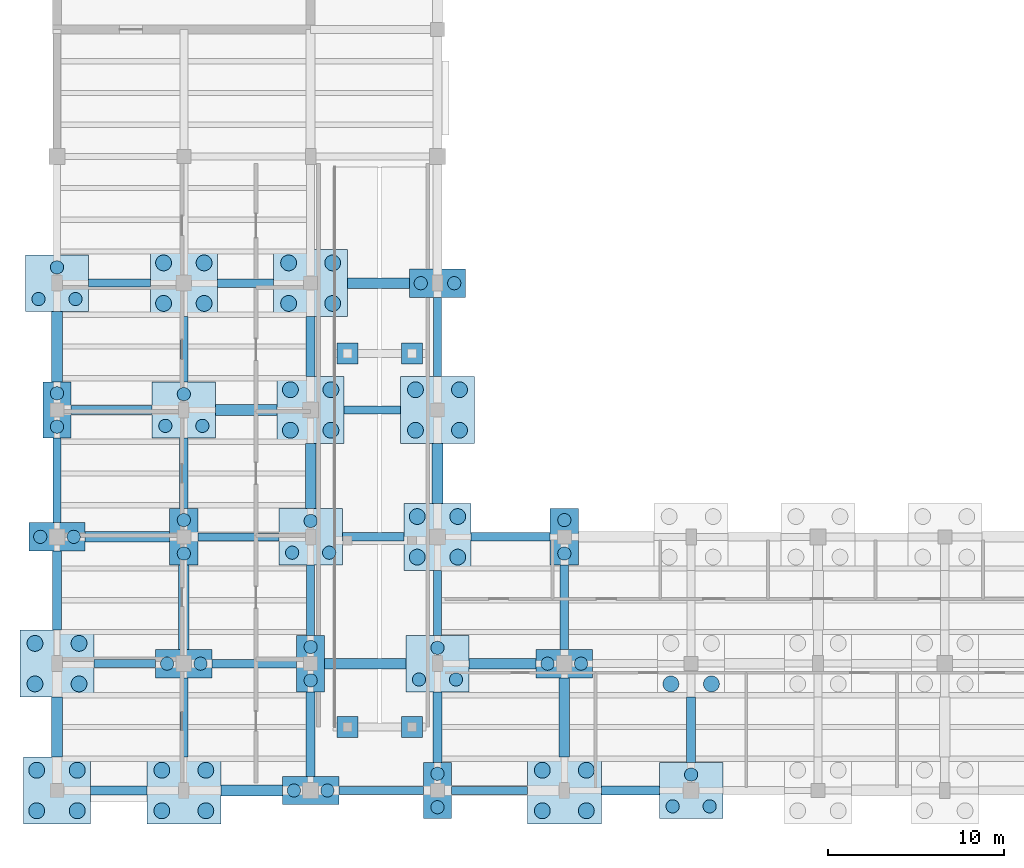
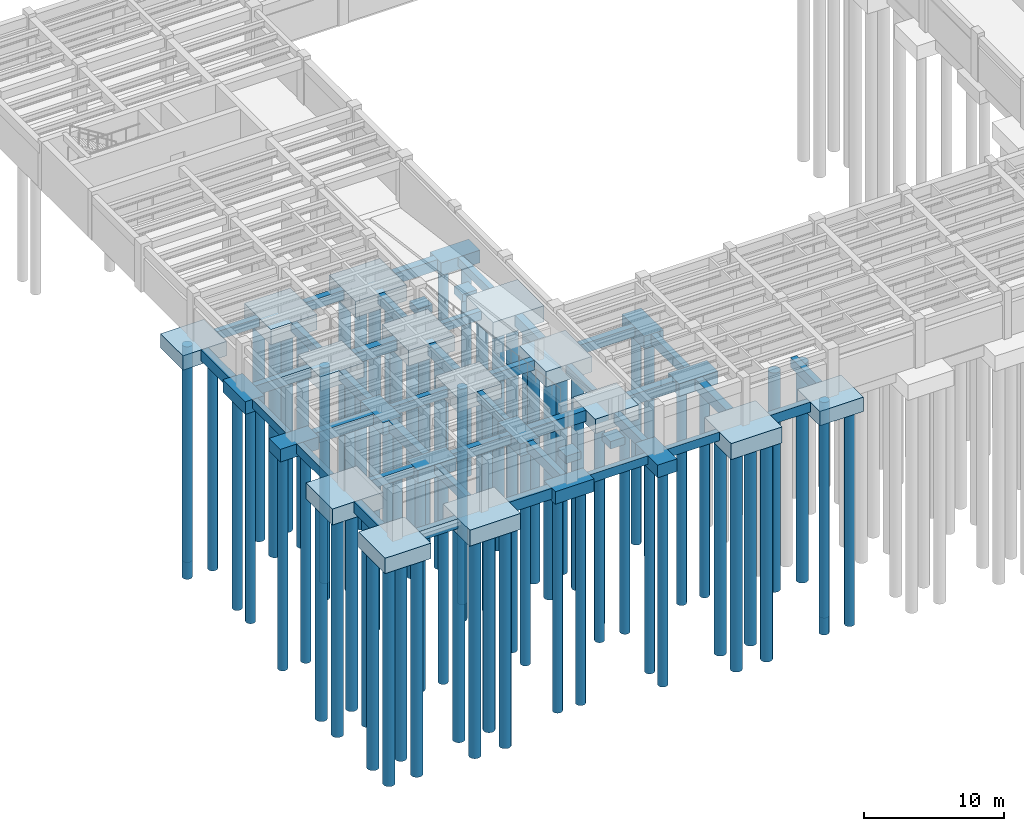
# One storey, part 1 of 33: 73 piles, 66 footings.
"""IFC4 building model written with IfcOpenShell, lengths in metres."""

import ifcopenshell
import ifcopenshell.guid

model = None  # the IFC model being written
_history = None  # IfcOwnerHistory: only IFC2X3 demands one
_inside = {}  # id of a spatial element -> (the spatial element, [elements in it])
_under = {}  # id of a project, library or spatial element -> (it, [spatial elements below it])
_declared = {}  # id of a project -> (the project, [libraries it declares])
_typed = {}  # id of a type object -> (the type object, [elements of that type])
_made_of = {}  # id of a material, layer set ... -> (it, [elements and type objects made of it])


def new_model(schema):
    """Start an empty IFC model of exactly this schema.

    Asked for "IFC4X3", IfcOpenShell would pick the latest addendum, in which some entities
    have other attributes; the version numbers below select the first issue.
    IFC2X3 requires an IfcOwnerHistory on every rooted entity: one is made here for all.
    """
    global model, _history
    if schema == "IFC4X3":
        model = ifcopenshell.file(schema_version=(4, 3, 0, 0))
    else:
        model = ifcopenshell.file(schema=schema)
    _inside.clear()
    _under.clear()
    _declared.clear()
    _typed.clear()
    _made_of.clear()
    _history = None
    if model.schema == "IFC2X3":
        org = make("IfcOrganization", Name="unknown")
        user = make(
            "IfcPersonAndOrganization",
            ThePerson=make("IfcPerson", FamilyName="unknown"),
            TheOrganization=org,
        )
        app = make(
            "IfcApplication",
            ApplicationDeveloper=org,
            Version="unknown",
            ApplicationFullName="unknown",
            ApplicationIdentifier="unknown",
        )
        _history = make(
            "IfcOwnerHistory",
            OwningUser=user,
            OwningApplication=app,
            ChangeAction="ADDED",
            CreationDate=0,
        )
    return model


def make(cls, **values):
    """One entity of the class cls with the attributes given. An attribute that is None is left unset."""
    return model.create_entity(
        cls, **{name: value for name, value in values.items() if value is not None}
    )


def rooted(cls, **values):
    """An entity with a GlobalId (a new one), such as an element, a storey or a relation."""
    return make(cls, GlobalId=ifcopenshell.guid.new(), OwnerHistory=_history, **values)


def si_unit(unit_type, name, prefix=None):
    """IfcSIUnit, for example si_unit("LENGTHUNIT", "METRE", prefix="MILLI")."""
    return make("IfcSIUnit", UnitType=unit_type, Prefix=prefix, Name=name)


def assignment(units):
    """IfcUnitAssignment: the units of a project."""
    return None if units is None else make("IfcUnitAssignment", Units=units)


def point(xyz):
    """IfcCartesianPoint."""
    return None if xyz is None else make("IfcCartesianPoint", Coordinates=xyz)


def direction(xyz):
    """IfcDirection."""
    return None if xyz is None else make("IfcDirection", DirectionRatios=xyz)


def frame(location, z_axis=None, x_axis=None):
    """IfcAxis2Placement3D, a coordinate frame: its origin and axes. An axis left out is left unset."""
    return make(
        "IfcAxis2Placement3D",
        Location=point(location),
        Axis=direction(z_axis),
        RefDirection=direction(x_axis),
    )


def frame_2d(location, x_axis=None):
    """IfcAxis2Placement2D, a coordinate frame in the plane: its origin and x axis."""
    return make(
        "IfcAxis2Placement2D", Location=point(location), RefDirection=direction(x_axis)
    )


def origin():
    """The frame at (0, 0, 0) with its axes left unset."""
    return frame((0.0, 0.0, 0.0))


def origin_2d():
    """The frame at (0, 0) in the plane with its x axis left unset."""
    return frame_2d((0.0, 0.0))


def place(relative_to, where):
    """IfcLocalPlacement: puts the frame where relative to a parent placement (None: the world)."""
    return make(
        "IfcLocalPlacement", PlacementRelTo=relative_to, RelativePlacement=where
    )


def context(
    kind, dimensions, precision=None, world=None, true_north=None, identifier=None
):
    """IfcGeometricRepresentationContext, for example the 3D "Model" context."""
    return make(
        "IfcGeometricRepresentationContext",
        ContextIdentifier=identifier,
        ContextType=kind,
        CoordinateSpaceDimension=dimensions,
        Precision=precision,
        WorldCoordinateSystem=world,
        TrueNorth=true_north,
    )


def subcontext(parent, identifier, kind, view, scale=None):
    """IfcGeometricRepresentationSubContext, for example "Body" below "Model"."""
    return make(
        "IfcGeometricRepresentationSubContext",
        ContextIdentifier=identifier,
        ContextType=kind,
        ParentContext=parent,
        TargetScale=scale,
        TargetView=view,
    )


def project(units=None, contexts=None):
    """IfcProject with its units and contexts."""
    return rooted(
        "IfcProject",
        Name="project",
        RepresentationContexts=contexts,
        UnitsInContext=assignment(units),
    )


def spatial(cls, under=None, at=None, **own):
    """A site, building, storey or space (cls), placed at a placement, below another one or the project."""
    s = rooted(cls, ObjectPlacement=at, **own)
    if under is not None:
        _under.setdefault(under.id(), (under, []))[1].append(s)
    return s


def profile(cls, at=None, kind="AREA", **sizes):
    """A parametric profile (cls). Its sizes go by their IFC names, for example OverallWidth=200.0."""
    return make(cls, ProfileType=kind, Position=at, **sizes)


def rectangle(**sizes):
    """IfcRectangleProfileDef."""
    return profile("IfcRectangleProfileDef", **sizes)


def circle(**sizes):
    """IfcCircleProfileDef."""
    return profile("IfcCircleProfileDef", **sizes)


def extrude(swept, where, along, depth):
    """IfcExtrudedAreaSolid: the profile swept, set in the frame where, extruded along a direction by depth."""
    return make(
        "IfcExtrudedAreaSolid",
        SweptArea=swept,
        Position=where,
        ExtrudedDirection=direction(along),
        Depth=depth,
    )


def shape(context_of_items, identifier, shape_type, items):
    """IfcShapeRepresentation: the items that make up one representation, for example the "Body"."""
    return make(
        "IfcShapeRepresentation",
        ContextOfItems=context_of_items,
        RepresentationIdentifier=identifier,
        RepresentationType=shape_type,
        Items=items,
    )


def material(Name=None, Category=None):
    """IfcMaterial."""
    return make("IfcMaterial", Name=Name, Category=Category)


def material_profile(
    of_material, cross_section, Name=None, Category=None, Priority=None
):
    """IfcMaterialProfile: a cross section and its material."""
    return make(
        "IfcMaterialProfile",
        Name=Name,
        Material=of_material,
        Profile=cross_section,
        Priority=Priority,
        Category=Category,
    )


def profile_set(profiles, Name=None, composite=None):
    """IfcMaterialProfileSet."""
    return make(
        "IfcMaterialProfileSet",
        Name=Name,
        MaterialProfiles=profiles,
        CompositeProfile=composite,
    )


def made_of(thing, what):
    """Note that an element or type object is made of a material, layer set ...; save() writes the relation."""
    if what is not None:
        _made_of.setdefault(what.id(), (what, []))[1].append(thing)
    return thing


def type_object(cls, material=None, **own):
    """A type object (cls), such as IfcWallType, which elements share."""
    return made_of(rooted(cls, **own), material)


def element(
    cls,
    number,
    at=None,
    inside=None,
    cuts=None,
    type_object=None,
    material=None,
    context=None,
    identifier="Body",
    shape_type=None,
    held_by="IfcProductDefinitionShape",
    body=None,
    shapes=None,
    **own,
):
    """One element of the class cls, such as IfcWall. Its Tag is "e" and its number.

    at: its placement. inside: the storey or other place that contains it. cuts: it is an
    opening in that element (IfcRelVoidsElement). A single representation is given by context,
    identifier, shape_type and body (its items); several are given by shapes. held_by: the class
    of the entity that holds the representations. save() writes the other relations.
    """
    e = rooted(cls, Tag="e%d" % number, ObjectPlacement=at, **own)
    if body is not None:
        shapes = [shape(context, identifier, shape_type, body)]
    if shapes is not None:
        e.Representation = make(held_by, Representations=shapes)
    if inside is not None:
        _inside.setdefault(inside.id(), (inside, []))[1].append(e)
    if cuts is not None:
        rooted(
            "IfcRelVoidsElement", RelatingBuildingElement=cuts, RelatedOpeningElement=e
        )
    if type_object is not None:
        _typed.setdefault(type_object.id(), (type_object, []))[1].append(e)
    return made_of(e, material)


def aggregate(whole, parts):
    """IfcRelAggregates: a whole, such as a stair, and the parts it consists of."""
    return rooted("IfcRelAggregates", RelatingObject=whole, RelatedObjects=parts)


def save(model, path):
    """Write the relations noted so far, then the file.

    IfcRelAggregates (storeys below a building ...), IfcRelContainedInSpatialStructure (elements
    in a storey), IfcRelDefinesByType, IfcRelAssociatesMaterial and IfcRelDeclares: one each for
    every whole, place, type object, material and project.
    """
    for whole, parts in _under.values():
        aggregate(whole, parts)
    for where, things in _inside.values():
        rooted(
            "IfcRelContainedInSpatialStructure",
            RelatedElements=things,
            RelatingStructure=where,
        )
    for kind, things in _typed.values():
        rooted("IfcRelDefinesByType", RelatedObjects=things, RelatingType=kind)
    for what, things in _made_of.values():
        rooted("IfcRelAssociatesMaterial", RelatedObjects=things, RelatingMaterial=what)
    for by, libraries in _declared.values():
        rooted("IfcRelDeclares", RelatingContext=by, RelatedDefinitions=libraries)
    model.write(path)


model = new_model("IFC4")

# Units and contexts
model_context = context("Model", 3, precision=1e-05, world=origin(), true_north=direction((0.0, 1.0)))
body_context = subcontext(model_context, "Body", "Model", "MODEL_VIEW")
ifc_project = project(units=[si_unit("LENGTHUNIT", "METRE"), si_unit("AREAUNIT", "SQUARE_METRE"), si_unit("VOLUMEUNIT", "CUBIC_METRE"), si_unit("PLANEANGLEUNIT", "RADIAN"), si_unit("MASSUNIT", "GRAM", prefix="KILO")], contexts=[model_context])

# Site, building, storey
site_placement = place(None, origin())
site = spatial("IfcSite", under=ifc_project, at=site_placement, CompositionType="ELEMENT")
building_placement = place(site_placement, origin())
building = spatial("IfcBuilding", under=site, at=building_placement, Name="Mithqara Police Headquarters", CompositionType="ELEMENT")
storey_placement = place(building_placement, frame((0.0, 0.0, -4.199951171875)))
storey = spatial("IfcBuildingStorey", under=building, at=storey_placement, Name="B1", CompositionType="ELEMENT", Elevation=-4.199951171875)

# Footings
ifc_material = material(Name="Concrete C40/50", Category="concrete")
footing_type_1 = type_object("IfcFootingType", Name="GROUND BEAM 450X750", PredefinedType="FOOTING_BEAM", material=ifc_material)
footing_1_placement = place(storey_placement, frame((11.64990234375, 28.199951171875, -0.75), z_axis=(0.0, 0.0, 1.0), x_axis=(1.0, 0.0, 0.0)))
element("IfcFooting", 1, at=footing_1_placement, inside=storey, type_object=footing_type_1, Name="B1 Ground Tie Beam 2-3/E", PredefinedType="FOOTING_BEAM", context=body_context, shape_type="SweptSolid", body=[
    extrude(rectangle(XDim=3.5, YDim=0.449951171875, at=origin_2d()), origin(), (0.0, 0.0, 1.0), 0.75),
])
footing_2_placement = place(storey_placement, frame((7.800048828125, 38.60009765625, -0.75), z_axis=(0.0, 0.0, 1.0), x_axis=(1.0, 0.0, 0.0)))
element("IfcFooting", 2, at=footing_2_placement, inside=storey, type_object=footing_type_1, Name="B1 Ground Tie Beam 2/F-G", PredefinedType="FOOTING_BEAM", context=body_context, shape_type="SweptSolid", body=[
    extrude(rectangle(XDim=0.449951171875, YDim=4.800048828125, at=origin_2d()), origin(), (0.0, 0.0, 1.0), 0.75),
])
footing_3_placement = place(storey_placement, frame((11.35009765625, 49.800048828125, -0.75), z_axis=(0.0, 0.0, 1.0), x_axis=(1.0, 0.0, 0.0)))
element("IfcFooting", 3, at=footing_3_placement, inside=storey, type_object=footing_type_1, Name="B1 Ground Tie Beam 2-3/H", PredefinedType="FOOTING_BEAM", context=body_context, shape_type="SweptSolid", body=[
    extrude(rectangle(XDim=3.5, YDim=0.449951171875, at=origin_2d()), origin(), (0.0, 0.0, 1.0), 0.75),
])
footing_4_placement = place(storey_placement, frame((15.0, 25.14990234375, -0.75), z_axis=(0.0, 0.0, 1.0), x_axis=(1.0, 0.0, 0.0)))
element("IfcFooting", 4, at=footing_4_placement, inside=storey, type_object=footing_type_1, Name="B1 Ground Tie Beam 3/D-E", PredefinedType="FOOTING_BEAM", context=body_context, shape_type="SweptSolid", body=[
    extrude(rectangle(XDim=0.449951171875, YDim=4.5, at=origin_2d()), origin(), (0.0, 0.0, 1.0), 0.75),
])
footing_5_placement = place(storey_placement, frame((18.10009765625, 35.39990234375, -0.75), z_axis=(0.0, 0.0, 1.0), x_axis=(1.0, 0.0, 0.0)))
element("IfcFooting", 5, at=footing_5_placement, inside=storey, type_object=footing_type_1, Name="B1 Ground Tie Beam 3-4/F", PredefinedType="FOOTING_BEAM", context=body_context, shape_type="SweptSolid", body=[
    extrude(rectangle(XDim=4.60009765625, YDim=0.449951171875, at=origin_2d()), origin(), (0.0, 0.0, 1.0), 0.75),
])
footing_6_placement = place(storey_placement, frame((15.0, 46.050048828125, -0.75), z_axis=(0.0, 0.0, 1.0), x_axis=(1.0, 0.0, 0.0)))
element("IfcFooting", 6, at=footing_6_placement, inside=storey, type_object=footing_type_1, Name="B1 Ground Tie Beam 3/G-H", PredefinedType="FOOTING_BEAM", context=body_context, shape_type="SweptSolid", body=[
    extrude(rectangle(XDim=0.449951171875, YDim=3.699951171875, at=origin_2d()), origin(), (0.0, 0.0, 1.0), 0.75),
])
footing_7_placement = place(storey_placement, frame((26.199951171875, 21.0, -0.75), z_axis=(0.0, 0.0, 1.0), x_axis=(1.0, 0.0, 0.0)))
element("IfcFooting", 7, at=footing_7_placement, inside=storey, type_object=footing_type_1, Name="B1 Ground Tie Beam 4-5/D", PredefinedType="FOOTING_BEAM", context=body_context, shape_type="SweptSolid", body=[
    extrude(rectangle(XDim=4.800048828125, YDim=0.449951171875, at=origin_2d()), origin(), (0.0, 0.0, 1.0), 0.75),
])
footing_8_placement = place(storey_placement, frame((22.199951171875, 31.800048828125, -0.75), z_axis=(0.0, 0.0, 1.0), x_axis=(1.0, 0.0, 0.0)))
element("IfcFooting", 8, at=footing_8_placement, inside=storey, type_object=footing_type_1, Name="B1 Ground Tie Beam 4/E-F", PredefinedType="FOOTING_BEAM", context=body_context, shape_type="SweptSolid", body=[
    extrude(rectangle(XDim=0.449951171875, YDim=4.0, at=origin_2d()), origin(), (0.0, 0.0, 1.0), 0.75),
])
footing_9_placement = place(storey_placement, frame((25.699951171875, 42.60009765625, -0.75), z_axis=(0.0, 0.0, 1.0), x_axis=(1.0, 0.0, 0.0)))
element("IfcFooting", 9, at=footing_9_placement, inside=storey, type_object=footing_type_1, Name="B1 Ground Tie Beam 4-5/G", PredefinedType="FOOTING_BEAM", context=body_context, shape_type="SweptSolid", body=[
    extrude(rectangle(XDim=3.199951171875, YDim=0.449951171875, at=origin_2d()), origin(), (0.0, 0.0, 1.0), 0.75),
])
footing_10_placement = place(storey_placement, frame((32.35009765625, 21.0, -0.75), z_axis=(0.0, 0.0, 1.0), x_axis=(1.0, 0.0, 0.0)))
element("IfcFooting", 10, at=footing_10_placement, inside=storey, type_object=footing_type_1, Name="B1 Ground Tie Beam 5-6/D", PredefinedType="FOOTING_BEAM", context=body_context, shape_type="SweptSolid", body=[
    extrude(rectangle(XDim=4.300048828125, YDim=0.449951171875, at=origin_2d()), origin(), (0.0, 0.0, 1.0), 0.75),
])
footing_11_placement = place(storey_placement, frame((29.39990234375, 31.64990234375, -0.75), z_axis=(0.0, 0.0, 1.0), x_axis=(1.0, 0.0, 0.0)))
element("IfcFooting", 11, at=footing_11_placement, inside=storey, type_object=footing_type_1, Name="B1 Ground Tie Beam 5/E-F", PredefinedType="FOOTING_BEAM", context=body_context, shape_type="SweptSolid", body=[
    extrude(rectangle(XDim=0.449951171875, YDim=3.699951171875, at=origin_2d()), origin(), (0.0, 0.0, 1.0), 0.75),
])
footing_12_placement = place(storey_placement, frame((29.39990234375, 46.75, -0.75), z_axis=(0.0, 0.0, 1.0), x_axis=(1.0, 0.0, 0.0)))
element("IfcFooting", 12, at=footing_12_placement, inside=storey, type_object=footing_type_1, Name="B1 Ground Tie Beam 5/G-H", PredefinedType="FOOTING_BEAM", context=body_context, shape_type="SweptSolid", body=[
    extrude(rectangle(XDim=0.449951171875, YDim=4.5, at=origin_2d()), origin(), (0.0, 0.0, 1.0), 0.75),
])
footing_type_2 = type_object("IfcFootingType", Name="GROUND BEAM 500X850", PredefinedType="FOOTING_BEAM", material=ifc_material)
footing_13_placement = place(storey_placement, frame((11.300048828125, 21.0, -0.85009765625), z_axis=(0.0, 0.0, 1.0), x_axis=(1.0, 0.0, 0.0)))
element("IfcFooting", 13, at=footing_13_placement, inside=storey, type_object=footing_type_2, Name="B1 Ground Tie Beam 2-3/D", PredefinedType="FOOTING_BEAM", context=body_context, shape_type="SweptSolid", body=[
    extrude(rectangle(XDim=3.199951171875, YDim=0.5, at=origin_2d()), origin(), (0.0, 0.0, 1.0), 0.85009765625),
])
footing_14_placement = place(storey_placement, frame((7.800048828125, 32.35009765625, -0.85009765625), z_axis=(0.0, 0.0, 1.0), x_axis=(1.0, 0.0, 0.0)))
element("IfcFooting", 14, at=footing_14_placement, inside=storey, type_object=footing_type_2, Name="B1 Ground Tie Beam 2/E-F", PredefinedType="FOOTING_BEAM", context=body_context, shape_type="SweptSolid", body=[
    extrude(rectangle(XDim=0.5, YDim=4.5, at=origin_2d()), origin(), (0.0, 0.0, 1.0), 0.85009765625),
])
footing_15_placement = place(storey_placement, frame((10.89990234375, 42.60009765625, -0.85009765625), z_axis=(0.0, 0.0, 1.0), x_axis=(1.0, 0.0, 0.0)))
element("IfcFooting", 15, at=footing_15_placement, inside=storey, type_object=footing_type_2, Name="B1 Ground Tie Beam 2-3/G", PredefinedType="FOOTING_BEAM", context=body_context, shape_type="SweptSolid", body=[
    extrude(rectangle(XDim=4.60009765625, YDim=0.5, at=origin_2d()), origin(), (0.0, 0.0, 1.0), 0.85009765625),
])
footing_16_placement = place(storey_placement, frame((19.0, 28.199951171875, -0.85009765625), z_axis=(0.0, 0.0, 1.0), x_axis=(1.0, 0.0, 0.0)))
element("IfcFooting", 16, at=footing_16_placement, inside=storey, type_object=footing_type_2, Name="B1 Ground Tie Beam 3-4/E", PredefinedType="FOOTING_BEAM", context=body_context, shape_type="SweptSolid", body=[
    extrude(rectangle(XDim=4.800048828125, YDim=0.5, at=origin_2d()), origin(), (0.0, 0.0, 1.0), 0.85009765625),
])
footing_17_placement = place(storey_placement, frame((15.0, 39.0, -0.85009765625), z_axis=(0.0, 0.0, 1.0), x_axis=(1.0, 0.0, 0.0)))
element("IfcFooting", 17, at=footing_17_placement, inside=storey, type_object=footing_type_2, Name="B1 Ground Tie Beam 3/F-G", PredefinedType="FOOTING_BEAM", context=body_context, shape_type="SweptSolid", body=[
    extrude(rectangle(XDim=0.5, YDim=4.0, at=origin_2d()), origin(), (0.0, 0.0, 1.0), 0.85009765625),
])
footing_18_placement = place(storey_placement, frame((18.5, 49.800048828125, -0.85009765625), z_axis=(0.0, 0.0, 1.0), x_axis=(1.0, 0.0, 0.0)))
element("IfcFooting", 18, at=footing_18_placement, inside=storey, type_object=footing_type_2, Name="B1 Ground Tie Beam 3-4/H", PredefinedType="FOOTING_BEAM", context=body_context, shape_type="SweptSolid", body=[
    extrude(rectangle(XDim=3.199951171875, YDim=0.5, at=origin_2d()), origin(), (0.0, 0.0, 1.0), 0.85009765625),
])
footing_19_placement = place(storey_placement, frame((22.199951171875, 24.199951171875, -0.85009765625), z_axis=(0.0, 0.0, 1.0), x_axis=(1.0, 0.0, 0.0)))
element("IfcFooting", 19, at=footing_19_placement, inside=storey, type_object=footing_type_2, Name="B1 Ground Tie Beam 4/D-E", PredefinedType="FOOTING_BEAM", context=body_context, shape_type="SweptSolid", body=[
    extrude(rectangle(XDim=0.5, YDim=4.800048828125, at=origin_2d()), origin(), (0.0, 0.0, 1.0), 0.85009765625),
])
footing_20_placement = place(storey_placement, frame((25.75, 35.39990234375, -0.85009765625), z_axis=(0.0, 0.0, 1.0), x_axis=(1.0, 0.0, 0.0)))
element("IfcFooting", 20, at=footing_20_placement, inside=storey, type_object=footing_type_2, Name="B1 Ground Tie Beam 4-5/F", PredefinedType="FOOTING_BEAM", context=body_context, shape_type="SweptSolid", body=[
    extrude(rectangle(XDim=3.5, YDim=0.5, at=origin_2d()), origin(), (0.0, 0.0, 1.0), 0.85009765625),
])
footing_21_placement = place(storey_placement, frame((22.199951171875, 46.199951171875, -0.85009765625), z_axis=(0.0, 0.0, 1.0), x_axis=(1.0, 0.0, 0.0)))
element("IfcFooting", 21, at=footing_21_placement, inside=storey, type_object=footing_type_2, Name="B1 Ground Tie Beam 4/G-H", PredefinedType="FOOTING_BEAM", context=body_context, shape_type="SweptSolid", body=[
    extrude(rectangle(XDim=0.5, YDim=3.39990234375, at=origin_2d()), origin(), (0.0, 0.0, 1.0), 0.85009765625),
])
footing_22_placement = place(storey_placement, frame((29.39990234375, 24.60009765625, -0.85009765625), z_axis=(0.0, 0.0, 1.0), x_axis=(1.0, 0.0, 0.0)))
element("IfcFooting", 22, at=footing_22_placement, inside=storey, type_object=footing_type_2, Name="B1 Ground Tie Beam 5/D-E", PredefinedType="FOOTING_BEAM", context=body_context, shape_type="SweptSolid", body=[
    extrude(rectangle(XDim=0.5, YDim=4.0, at=origin_2d()), origin(), (0.0, 0.0, 1.0), 0.85009765625),
])
footing_23_placement = place(storey_placement, frame((33.550048828125, 35.39990234375, -0.85009765625), z_axis=(0.0, 0.0, 1.0), x_axis=(1.0, 0.0, 0.0)))
element("IfcFooting", 23, at=footing_23_placement, inside=storey, type_object=footing_type_2, Name="B1 Ground Tie Beam 5-6/F", PredefinedType="FOOTING_BEAM", context=body_context, shape_type="SweptSolid", body=[
    extrude(rectangle(XDim=4.5, YDim=0.5, at=origin_2d()), origin(), (0.0, 0.0, 1.0), 0.85009765625),
])
footing_24_placement = place(storey_placement, frame((40.35009765625, 21.0, -0.85009765625), z_axis=(0.0, 0.0, 1.0), x_axis=(1.0, 0.0, 0.0)))
element("IfcFooting", 24, at=footing_24_placement, inside=storey, type_object=footing_type_2, Name="B1 Ground Tie Beam 6-7/D", PredefinedType="FOOTING_BEAM", context=body_context, shape_type="SweptSolid", body=[
    extrude(rectangle(XDim=3.300048828125, YDim=0.5, at=origin_2d()), origin(), (0.0, 0.0, 1.0), 0.85009765625),
])
footing_25_placement = place(storey_placement, frame((36.60009765625, 31.39990234375, -0.85009765625), z_axis=(0.0, 0.0, 1.0), x_axis=(1.0, 0.0, 0.0)))
element("IfcFooting", 25, at=footing_25_placement, inside=storey, type_object=footing_type_2, Name="B1 Ground Tie Beam 6/E-F", PredefinedType="FOOTING_BEAM", context=body_context, shape_type="SweptSolid", body=[
    extrude(rectangle(XDim=0.5, YDim=4.800048828125, at=origin_2d()), origin(), (0.0, 0.0, 1.0), 0.85009765625),
])
footing_26_placement = place(storey_placement, frame((43.800048828125, 24.449951171875, -0.85009765625), z_axis=(0.0, 0.0, 1.0), x_axis=(1.0, 0.0, 0.0)))
element("IfcFooting", 26, at=footing_26_placement, inside=storey, type_object=footing_type_2, Name="B1 Ground Tie Beam 7/D-E", PredefinedType="FOOTING_BEAM", context=body_context, shape_type="SweptSolid", body=[
    extrude(rectangle(XDim=0.5, YDim=3.699951171875, at=origin_2d()), origin(), (0.0, 0.0, 1.0), 0.85009765625),
])
footing_type_3 = type_object("IfcFootingType", Name="GROUND BEAM 600X950", PredefinedType="FOOTING_BEAM", material=ifc_material)
footing_27_placement = place(storey_placement, frame((7.800048828125, 24.60009765625, -0.9501953125), z_axis=(0.0, 0.0, 1.0), x_axis=(1.0, 0.0, 0.0)))
element("IfcFooting", 27, at=footing_27_placement, inside=storey, type_object=footing_type_3, Name="B1 Ground Tie Beam 2/D-E", PredefinedType="FOOTING_BEAM", context=body_context, shape_type="SweptSolid", body=[
    extrude(rectangle(XDim=0.60009765625, YDim=3.39990234375, at=origin_2d()), origin(), (0.0, 0.0, 1.0), 0.949951171875),
])
footing_28_placement = place(storey_placement, frame((11.800048828125, 35.39990234375, -0.9501953125), z_axis=(0.0, 0.0, 1.0), x_axis=(1.0, 0.0, 0.0)))
element("IfcFooting", 28, at=footing_28_placement, inside=storey, type_object=footing_type_3, Name="B1 Ground Tie Beam 2-3/F", PredefinedType="FOOTING_BEAM", context=body_context, shape_type="SweptSolid", body=[
    extrude(rectangle(XDim=4.800048828125, YDim=0.60009765625, at=origin_2d()), origin(), (0.0, 0.0, 1.0), 0.949951171875),
])
footing_29_placement = place(storey_placement, frame((7.800048828125, 46.199951171875, -0.9501953125), z_axis=(0.0, 0.0, 1.0), x_axis=(1.0, 0.0, 0.0)))
element("IfcFooting", 29, at=footing_29_placement, inside=storey, type_object=footing_type_3, Name="B1 Ground Tie Beam 2/G-H", PredefinedType="FOOTING_BEAM", context=body_context, shape_type="SweptSolid", body=[
    extrude(rectangle(XDim=0.60009765625, YDim=4.0, at=origin_2d()), origin(), (0.0, 0.0, 1.0), 0.949951171875),
])
footing_30_placement = place(storey_placement, frame((18.85009765625, 21.0, -0.9501953125), z_axis=(0.0, 0.0, 1.0), x_axis=(1.0, 0.0, 0.0)))
element("IfcFooting", 30, at=footing_30_placement, inside=storey, type_object=footing_type_3, Name="B1 Ground Tie Beam 3-4/D", PredefinedType="FOOTING_BEAM", context=body_context, shape_type="SweptSolid", body=[
    extrude(rectangle(XDim=3.5, YDim=0.60009765625, at=origin_2d()), origin(), (0.0, 0.0, 1.0), 0.949951171875),
])
footing_31_placement = place(storey_placement, frame((15.0, 31.39990234375, -0.9501953125), z_axis=(0.0, 0.0, 1.0), x_axis=(1.0, 0.0, 0.0)))
element("IfcFooting", 31, at=footing_31_placement, inside=storey, type_object=footing_type_3, Name="B1 Ground Tie Beam 3/E-F", PredefinedType="FOOTING_BEAM", context=body_context, shape_type="SweptSolid", body=[
    extrude(rectangle(XDim=0.60009765625, YDim=4.800048828125, at=origin_2d()), origin(), (0.0, 0.0, 1.0), 0.949951171875),
])
footing_32_placement = place(storey_placement, frame((18.550048828125, 42.60009765625, -0.9501953125), z_axis=(0.0, 0.0, 1.0), x_axis=(1.0, 0.0, 0.0)))
element("IfcFooting", 32, at=footing_32_placement, inside=storey, type_object=footing_type_3, Name="B1 Ground Tie Beam 3-4/G", PredefinedType="FOOTING_BEAM", context=body_context, shape_type="SweptSolid", body=[
    extrude(rectangle(XDim=3.5, YDim=0.60009765625, at=origin_2d()), origin(), (0.0, 0.0, 1.0), 0.949951171875),
])
footing_33_placement = place(storey_placement, frame((25.300048828125, 28.199951171875, -0.9501953125), z_axis=(0.0, 0.0, 1.0), x_axis=(1.0, 0.0, 0.0)))
element("IfcFooting", 33, at=footing_33_placement, inside=storey, type_object=footing_type_3, Name="B1 Ground Tie Beam 4-5/E", PredefinedType="FOOTING_BEAM", context=body_context, shape_type="SweptSolid", body=[
    extrude(rectangle(XDim=4.60009765625, YDim=0.60009765625, at=origin_2d()), origin(), (0.0, 0.0, 1.0), 0.949951171875),
])
footing_34_placement = place(storey_placement, frame((22.199951171875, 38.85009765625, -0.9501953125), z_axis=(0.0, 0.0, 1.0), x_axis=(1.0, 0.0, 0.0)))
element("IfcFooting", 34, at=footing_34_placement, inside=storey, type_object=footing_type_3, Name="B1 Ground Tie Beam 4/F-G", PredefinedType="FOOTING_BEAM", context=body_context, shape_type="SweptSolid", body=[
    extrude(rectangle(XDim=0.60009765625, YDim=3.699951171875, at=origin_2d()), origin(), (0.0, 0.0, 1.0), 0.949951171875),
])
footing_35_placement = place(storey_placement, frame((26.050048828125, 49.800048828125, -0.9501953125), z_axis=(0.0, 0.0, 1.0), x_axis=(1.0, 0.0, 0.0)))
element("IfcFooting", 35, at=footing_35_placement, inside=storey, type_object=footing_type_3, Name="B1 Ground Tie Beam 4-5/H", PredefinedType="FOOTING_BEAM", context=body_context, shape_type="SweptSolid", body=[
    extrude(rectangle(XDim=3.5, YDim=0.60009765625, at=origin_2d()), origin(), (0.0, 0.0, 1.0), 0.949951171875),
])
footing_36_placement = place(storey_placement, frame((33.10009765625, 28.199951171875, -0.9501953125), z_axis=(0.0, 0.0, 1.0), x_axis=(1.0, 0.0, 0.0)))
element("IfcFooting", 36, at=footing_36_placement, inside=storey, type_object=footing_type_3, Name="B1 Ground Tie Beam 5-6/E", PredefinedType="FOOTING_BEAM", context=body_context, shape_type="SweptSolid", body=[
    extrude(rectangle(XDim=3.800048828125, YDim=0.60009765625, at=origin_2d()), origin(), (0.0, 0.0, 1.0), 0.949951171875),
])
footing_37_placement = place(storey_placement, frame((29.39990234375, 39.0, -0.9501953125), z_axis=(0.0, 0.0, 1.0), x_axis=(1.0, 0.0, 0.0)))
element("IfcFooting", 37, at=footing_37_placement, inside=storey, type_object=footing_type_3, Name="B1 Ground Tie Beam 5/F-G", PredefinedType="FOOTING_BEAM", context=body_context, shape_type="SweptSolid", body=[
    extrude(rectangle(XDim=0.60009765625, YDim=3.39990234375, at=origin_2d()), origin(), (0.0, 0.0, 1.0), 0.949951171875),
])
footing_38_placement = place(storey_placement, frame((36.60009765625, 25.14990234375, -0.9501953125), z_axis=(0.0, 0.0, 1.0), x_axis=(1.0, 0.0, 0.0)))
element("IfcFooting", 38, at=footing_38_placement, inside=storey, type_object=footing_type_3, Name="B1 Ground Tie Beam 6/D-E", PredefinedType="FOOTING_BEAM", context=body_context, shape_type="SweptSolid", body=[
    extrude(rectangle(XDim=0.60009765625, YDim=4.5, at=origin_2d()), origin(), (0.0, 0.0, 1.0), 0.949951171875),
])
footing_type_4 = type_object("IfcFootingType", Name="PAD FOOTING 1200X1200X650", PredefinedType="PAD_FOOTING", material=ifc_material)
for number, where, z_axis, x_axis, name in (
    (39, (24.300048828125, 45.800048828125, -0.949951171875), (0.0, 0.0, 1.0), (1.0, 0.0, 0.0), "VR-01 Ramp Pier Footing 1W"),
    (40, (27.949951171875, 45.800048828125, -0.949951171875), (0.0, 0.0, 1.0), (1.0, 0.0, 0.0), "VR-01 Ramp Pier Footing 1E"),
    (41, (24.300048828125, 24.60009765625, -0.949951171875), (0.0, 0.0, 1.0), (1.0, 0.0, 0.0), "VR-01 Ramp Pier Footing 3W"),
    (42, (27.949951171875, 24.60009765625, -0.949951171875), (0.0, 0.0, 1.0), (1.0, 0.0, 0.0), "VR-01 Ramp Pier Footing 3E"),
):
    element("IfcFooting", number, at=place(storey_placement, frame(where, z_axis=z_axis, x_axis=x_axis)), inside=storey, type_object=footing_type_4, Name=name, PredefinedType="PAD_FOOTING", context=body_context, shape_type="SweptSolid", body=[
        extrude(rectangle(XDim=1.199951171875, YDim=1.199951171875, at=origin_2d()), origin(), (0.0, 0.0, 1.0), 0.64990234375),
    ])
footing_type_5 = type_object("IfcFootingType", Name="PILE CAP 2P 1600X3200X1100", PredefinedType="PILE_CAP", material=ifc_material)
for number, where, z_axis, x_axis, name in (
    (43, (7.800048828125, 42.60009765625, -1.10009765625), (0.0, 0.0, 1.0), (1.0, 0.0, 0.0), "B1 Pile Cap 2/G"),
    (44, (15.0, 35.39990234375, -1.10009765625), (0.0, 0.0, 1.0), (1.0, 0.0, 0.0), "B1 Pile Cap 3/F"),
    (45, (22.199951171875, 28.199951171875, -1.10009765625), (0.0, 0.0, 1.0), (1.0, 0.0, 0.0), "B1 Pile Cap 4/E"),
    (46, (29.39990234375, 21.0, -1.10009765625), (0.0, 0.0, 1.0), (1.0, 0.0, 0.0), "B1 Pile Cap 5/D"),
    (47, (36.60009765625, 35.39990234375, -1.10009765625), (0.0, 0.0, 1.0), (1.0, 0.0, 0.0), "B1 Pile Cap 6/F"),
):
    element("IfcFooting", number, at=place(storey_placement, frame(where, z_axis=z_axis, x_axis=x_axis)), inside=storey, type_object=footing_type_5, Name=name, PredefinedType="PILE_CAP", context=body_context, shape_type="SweptSolid", body=[
        extrude(rectangle(XDim=1.60009765625, YDim=3.199951171875, at=origin_2d()), origin(), (0.0, 0.0, 1.0), 1.10009765625),
    ])
footing_type_6 = type_object("IfcFootingType", Name="PILE CAP 2P 3200X1600X1100", PredefinedType="PILE_CAP", material=ifc_material)
for number, where, z_axis, x_axis, name in (
    (48, (7.800048828125, 35.39990234375, -1.10009765625), (0.0, 0.0, 1.0), (1.0, 0.0, 0.0), "B1 Pile Cap 2/F"),
    (49, (15.0, 28.199951171875, -1.10009765625), (0.0, 0.0, 1.0), (1.0, 0.0, 0.0), "B1 Pile Cap 3/E"),
    (50, (22.199951171875, 21.0, -1.10009765625), (0.0, 0.0, 1.0), (1.0, 0.0, 0.0), "B1 Pile Cap 4/D"),
    (51, (29.39990234375, 49.800048828125, -1.10009765625), (0.0, 0.0, 1.0), (1.0, 0.0, 0.0), "B1 Pile Cap 5/H"),
    (52, (36.60009765625, 28.199951171875, -1.10009765625), (0.0, 0.0, 1.0), (1.0, 0.0, 0.0), "B1 Pile Cap 6/E"),
):
    element("IfcFooting", number, at=place(storey_placement, frame(where, z_axis=z_axis, x_axis=x_axis)), inside=storey, type_object=footing_type_6, Name=name, PredefinedType="PILE_CAP", context=body_context, shape_type="SweptSolid", body=[
        extrude(rectangle(XDim=3.199951171875, YDim=1.60009765625, at=origin_2d()), origin(), (0.0, 0.0, 1.0), 1.10009765625),
    ])
footing_type_7 = type_object("IfcFootingType", Name="PILE CAP 3P 3600X3200X1250", PredefinedType="PILE_CAP", material=ifc_material)
for number, where, z_axis, x_axis, name in (
    (53, (7.800048828125, 49.800048828125, -1.25), (0.0, 0.0, 1.0), (1.0, 0.0, 0.0), "B1 Pile Cap 2/H"),
    (54, (15.0, 42.60009765625, -1.25), (0.0, 0.0, 1.0), (1.0, 0.0, 0.0), "B1 Pile Cap 3/G"),
    (55, (22.199951171875, 35.39990234375, -1.25), (0.0, 0.0, 1.0), (1.0, 0.0, 0.0), "B1 Pile Cap 4/F"),
    (56, (29.39990234375, 28.199951171875, -1.25), (0.0, 0.0, 1.0), (1.0, 0.0, 0.0), "B1 Pile Cap 5/E"),
    (57, (43.800048828125, 21.0, -1.25), (0.0, 0.0, 1.0), (1.0, 0.0, 0.0), "B1 Pile Cap 7/D"),
):
    element("IfcFooting", number, at=place(storey_placement, frame(where, z_axis=z_axis, x_axis=x_axis)), inside=storey, type_object=footing_type_7, Name=name, PredefinedType="PILE_CAP", context=body_context, shape_type="SweptSolid", body=[
        extrude(rectangle(XDim=3.60009765625, YDim=3.199951171875, at=origin_2d()), origin(), (0.0, 0.0, 1.0), 1.25),
    ])
footing_type_8 = type_object("IfcFootingType", Name="PILE CAP 4P 3800X3800X1350", PredefinedType="PILE_CAP", material=ifc_material)
for number, where, z_axis, x_axis, name in (
    (58, (7.800048828125, 21.0, -1.35009765625), (0.0, 0.0, 1.0), (1.0, 0.0, 0.0), "B1 Pile Cap 2/D"),
    (59, (15.0, 49.800048828125, -1.35009765625), (0.0, 0.0, 1.0), (1.0, 0.0, 0.0), "B1 Pile Cap 3/H"),
    (60, (22.199951171875, 42.60009765625, -1.35009765625), (0.0, 0.0, 1.0), (1.0, 0.0, 0.0), "B1 Pile Cap 4/G"),
    (61, (29.39990234375, 35.39990234375, -1.35009765625), (0.0, 0.0, 1.0), (1.0, 0.0, 0.0), "B1 Pile Cap 5/F"),
):
    element("IfcFooting", number, at=place(storey_placement, frame(where, z_axis=z_axis, x_axis=x_axis)), inside=storey, type_object=footing_type_8, Name=name, PredefinedType="PILE_CAP", context=body_context, shape_type="SweptSolid", body=[
        extrude(rectangle(XDim=3.800048828125, YDim=3.800048828125, at=origin_2d()), origin(), (0.0, 0.0, 1.0), 1.35009765625),
    ])
footing_type_9 = type_object("IfcFootingType", Name="PILE CAP 4P 4200X3800X1400", PredefinedType="PILE_CAP", material=ifc_material)
for number, where, z_axis, x_axis, name in (
    (62, (7.800048828125, 28.199951171875, -1.39990234375), (0.0, 0.0, 1.0), (1.0, 0.0, 0.0), "B1 Pile Cap 2/E"),
    (63, (15.0, 21.0, -1.39990234375), (0.0, 0.0, 1.0), (1.0, 0.0, 0.0), "B1 Pile Cap 3/D"),
    (64, (22.199951171875, 49.800048828125, -1.39990234375), (0.0, 0.0, 1.0), (1.0, 0.0, 0.0), "B1 Pile Cap 4/H"),
    (65, (29.39990234375, 42.60009765625, -1.39990234375), (0.0, 0.0, 1.0), (1.0, 0.0, 0.0), "B1 Pile Cap 5/G"),
    (66, (36.60009765625, 21.0, -1.39990234375), (0.0, 0.0, 1.0), (1.0, 0.0, 0.0), "B1 Pile Cap 6/D"),
):
    element("IfcFooting", number, at=place(storey_placement, frame(where, z_axis=z_axis, x_axis=x_axis)), inside=storey, type_object=footing_type_9, Name=name, PredefinedType="PILE_CAP", context=body_context, shape_type="SweptSolid", body=[
        extrude(rectangle(XDim=4.199951171875, YDim=3.800048828125, at=origin_2d()), origin(), (0.0, 0.0, 1.0), 1.39990234375),
    ])

# Piles
ifc_material_profile_1 = material_profile(ifc_material, circle(Radius=0.375, at=origin_2d()), Name="PILE D750")
ifc_profile_set_1 = profile_set([ifc_material_profile_1], Name="Concrete C40/50")
pile_type_1 = type_object("IfcPileType", Name="PILE D750 18M", PredefinedType="BORED", material=ifc_profile_set_1)
for number, where, z_axis, x_axis, name in (
    (67, (6.85009765625, 35.39990234375, -0.949951171875), (0.0, 0.0, -1.0), (1.0, 0.0, 0.0), "Bored Pile 2/F-1"),
    (68, (8.75, 35.39990234375, -0.949951171875), (0.0, 0.0, -1.0), (1.0, 0.0, 0.0), "Bored Pile 2/F-2"),
    (69, (7.800048828125, 41.64990234375, -0.949951171875), (0.0, 0.0, -1.0), (1.0, 0.0, 0.0), "Bored Pile 2/G-1"),
    (70, (7.800048828125, 43.550048828125, -0.949951171875), (0.0, 0.0, -1.0), (1.0, 0.0, 0.0), "Bored Pile 2/G-2"),
    (71, (6.75, 48.89990234375, -1.10009765625), (0.0, 0.0, -1.0), (1.0, 0.0, 0.0), "Bored Pile 2/H-1"),
    (72, (8.85009765625, 48.89990234375, -1.10009765625), (0.0, 0.0, -1.0), (1.0, 0.0, 0.0), "Bored Pile 2/H-2"),
    (73, (7.800048828125, 50.699951171875, -1.10009765625), (0.0, 0.0, -1.0), (1.0, 0.0, 0.0), "Bored Pile 2/H-3"),
    (74, (14.050048828125, 28.199951171875, -0.949951171875), (0.0, 0.0, -1.0), (1.0, 0.0, 0.0), "Bored Pile 3/E-1"),
    (75, (15.949951171875, 28.199951171875, -0.949951171875), (0.0, 0.0, -1.0), (1.0, 0.0, 0.0), "Bored Pile 3/E-2"),
    (76, (15.0, 34.449951171875, -0.949951171875), (0.0, 0.0, -1.0), (1.0, 0.0, 0.0), "Bored Pile 3/F-1"),
    (77, (15.0, 36.35009765625, -0.949951171875), (0.0, 0.0, -1.0), (1.0, 0.0, 0.0), "Bored Pile 3/F-2"),
    (78, (13.949951171875, 41.699951171875, -1.10009765625), (0.0, 0.0, -1.0), (1.0, 0.0, 0.0), "Bored Pile 3/G-1"),
    (79, (16.050048828125, 41.699951171875, -1.10009765625), (0.0, 0.0, -1.0), (1.0, 0.0, 0.0), "Bored Pile 3/G-2"),
    (80, (15.0, 43.5, -1.10009765625), (0.0, 0.0, -1.0), (1.0, 0.0, 0.0), "Bored Pile 3/G-3"),
    (81, (21.25, 21.0, -0.949951171875), (0.0, 0.0, -1.0), (1.0, 0.0, 0.0), "Bored Pile 4/D-1"),
    (82, (23.14990234375, 21.0, -0.949951171875), (0.0, 0.0, -1.0), (1.0, 0.0, 0.0), "Bored Pile 4/D-2"),
    (83, (22.199951171875, 27.25, -0.949951171875), (0.0, 0.0, -1.0), (1.0, 0.0, 0.0), "Bored Pile 4/E-1"),
    (84, (22.199951171875, 29.14990234375, -0.949951171875), (0.0, 0.0, -1.0), (1.0, 0.0, 0.0), "Bored Pile 4/E-2"),
    (85, (21.14990234375, 34.5, -1.10009765625), (0.0, 0.0, -1.0), (1.0, 0.0, 0.0), "Bored Pile 4/F-1"),
    (86, (23.25, 34.5, -1.10009765625), (0.0, 0.0, -1.0), (1.0, 0.0, 0.0), "Bored Pile 4/F-2"),
    (87, (22.199951171875, 36.300048828125, -1.10009765625), (0.0, 0.0, -1.0), (1.0, 0.0, 0.0), "Bored Pile 4/F-3"),
    (88, (29.39990234375, 20.050048828125, -0.949951171875), (0.0, 0.0, -1.0), (1.0, 0.0, 0.0), "Bored Pile 5/D-1"),
    (89, (29.39990234375, 21.949951171875, -0.949951171875), (0.0, 0.0, -1.0), (1.0, 0.0, 0.0), "Bored Pile 5/D-2"),
    (90, (28.35009765625, 27.300048828125, -1.10009765625), (0.0, 0.0, -1.0), (1.0, 0.0, 0.0), "Bored Pile 5/E-1"),
    (91, (30.449951171875, 27.300048828125, -1.10009765625), (0.0, 0.0, -1.0), (1.0, 0.0, 0.0), "Bored Pile 5/E-2"),
    (92, (29.39990234375, 29.10009765625, -1.10009765625), (0.0, 0.0, -1.0), (1.0, 0.0, 0.0), "Bored Pile 5/E-3"),
    (93, (28.449951171875, 49.800048828125, -0.949951171875), (0.0, 0.0, -1.0), (1.0, 0.0, 0.0), "Bored Pile 5/H-1"),
    (94, (30.35009765625, 49.800048828125, -0.949951171875), (0.0, 0.0, -1.0), (1.0, 0.0, 0.0), "Bored Pile 5/H-2"),
    (95, (35.64990234375, 28.199951171875, -0.949951171875), (0.0, 0.0, -1.0), (1.0, 0.0, 0.0), "Bored Pile 6/E-1"),
    (96, (37.550048828125, 28.199951171875, -0.949951171875), (0.0, 0.0, -1.0), (1.0, 0.0, 0.0), "Bored Pile 6/E-2"),
    (97, (36.60009765625, 34.449951171875, -0.949951171875), (0.0, 0.0, -1.0), (1.0, 0.0, 0.0), "Bored Pile 6/F-1"),
    (98, (36.60009765625, 36.35009765625, -0.949951171875), (0.0, 0.0, -1.0), (1.0, 0.0, 0.0), "Bored Pile 6/F-2"),
    (99, (42.75, 20.10009765625, -1.10009765625), (0.0, 0.0, -1.0), (1.0, 0.0, 0.0), "Bored Pile 7/D-1"),
    (100, (44.85009765625, 20.10009765625, -1.10009765625), (0.0, 0.0, -1.0), (1.0, 0.0, 0.0), "Bored Pile 7/D-2"),
    (101, (43.800048828125, 21.89990234375, -1.10009765625), (0.0, 0.0, -1.0), (1.0, 0.0, 0.0), "Bored Pile 7/D-3"),
):
    element("IfcPile", number, at=place(storey_placement, frame(where, z_axis=z_axis, x_axis=x_axis)), inside=storey, type_object=pile_type_1, Name=name, PredefinedType="BORED", context=body_context, shape_type="SweptSolid", body=[
        extrude(circle(Radius=0.375, at=origin_2d()), origin(), (0.0, 0.0, 1.0), 18.85009765625),
    ])
ifc_material_profile_2 = material_profile(ifc_material, circle(Radius=0.449951171875, at=origin_2d()), Name="PILE D900")
ifc_profile_set_2 = profile_set([ifc_material_profile_2], Name="Concrete C40/50")
pile_type_2 = type_object("IfcPileType", Name="PILE D900 19M", PredefinedType="BORED", material=ifc_profile_set_2)
for number, where, z_axis, x_axis, name in (
    (102, (6.64990234375, 19.85009765625, -1.199951171875), (0.0, 0.0, -1.0), (1.0, 0.0, 0.0), "Bored Pile 2/D-1"),
    (103, (8.949951171875, 19.85009765625, -1.199951171875), (0.0, 0.0, -1.0), (1.0, 0.0, 0.0), "Bored Pile 2/D-2"),
    (104, (6.64990234375, 22.14990234375, -1.199951171875), (0.0, 0.0, -1.0), (1.0, 0.0, 0.0), "Bored Pile 2/D-3"),
    (105, (8.949951171875, 22.14990234375, -1.199951171875), (0.0, 0.0, -1.0), (1.0, 0.0, 0.0), "Bored Pile 2/D-4"),
    (106, (6.550048828125, 27.050048828125, -1.25), (0.0, 0.0, -1.0), (1.0, 0.0, 0.0), "Bored Pile 2/E-1"),
    (107, (9.050048828125, 27.050048828125, -1.25), (0.0, 0.0, -1.0), (1.0, 0.0, 0.0), "Bored Pile 2/E-2"),
    (108, (6.550048828125, 29.35009765625, -1.25), (0.0, 0.0, -1.0), (1.0, 0.0, 0.0), "Bored Pile 2/E-3"),
    (109, (9.050048828125, 29.35009765625, -1.25), (0.0, 0.0, -1.0), (1.0, 0.0, 0.0), "Bored Pile 2/E-4"),
    (110, (13.75, 19.85009765625, -1.25), (0.0, 0.0, -1.0), (1.0, 0.0, 0.0), "Bored Pile 3/D-1"),
    (111, (16.25, 19.85009765625, -1.25), (0.0, 0.0, -1.0), (1.0, 0.0, 0.0), "Bored Pile 3/D-2"),
    (112, (13.75, 22.14990234375, -1.25), (0.0, 0.0, -1.0), (1.0, 0.0, 0.0), "Bored Pile 3/D-3"),
    (113, (16.25, 22.14990234375, -1.25), (0.0, 0.0, -1.0), (1.0, 0.0, 0.0), "Bored Pile 3/D-4"),
    (114, (13.85009765625, 48.64990234375, -1.199951171875), (0.0, 0.0, -1.0), (1.0, 0.0, 0.0), "Bored Pile 3/H-1"),
    (115, (16.14990234375, 48.64990234375, -1.199951171875), (0.0, 0.0, -1.0), (1.0, 0.0, 0.0), "Bored Pile 3/H-2"),
    (116, (13.85009765625, 50.949951171875, -1.199951171875), (0.0, 0.0, -1.0), (1.0, 0.0, 0.0), "Bored Pile 3/H-3"),
    (117, (16.14990234375, 50.949951171875, -1.199951171875), (0.0, 0.0, -1.0), (1.0, 0.0, 0.0), "Bored Pile 3/H-4"),
    (118, (21.050048828125, 41.449951171875, -1.199951171875), (0.0, 0.0, -1.0), (1.0, 0.0, 0.0), "Bored Pile 4/G-1"),
    (119, (23.35009765625, 41.449951171875, -1.199951171875), (0.0, 0.0, -1.0), (1.0, 0.0, 0.0), "Bored Pile 4/G-2"),
    (120, (21.050048828125, 43.75, -1.199951171875), (0.0, 0.0, -1.0), (1.0, 0.0, 0.0), "Bored Pile 4/G-3"),
    (121, (23.35009765625, 43.75, -1.199951171875), (0.0, 0.0, -1.0), (1.0, 0.0, 0.0), "Bored Pile 4/G-4"),
    (122, (20.949951171875, 48.64990234375, -1.25), (0.0, 0.0, -1.0), (1.0, 0.0, 0.0), "Bored Pile 4/H-1"),
    (123, (23.449951171875, 48.64990234375, -1.25), (0.0, 0.0, -1.0), (1.0, 0.0, 0.0), "Bored Pile 4/H-2"),
    (124, (20.949951171875, 50.949951171875, -1.25), (0.0, 0.0, -1.0), (1.0, 0.0, 0.0), "Bored Pile 4/H-3"),
    (125, (23.449951171875, 50.949951171875, -1.25), (0.0, 0.0, -1.0), (1.0, 0.0, 0.0), "Bored Pile 4/H-4"),
    (126, (28.25, 34.25, -1.199951171875), (0.0, 0.0, -1.0), (1.0, 0.0, 0.0), "Bored Pile 5/F-1"),
    (127, (30.550048828125, 34.25, -1.199951171875), (0.0, 0.0, -1.0), (1.0, 0.0, 0.0), "Bored Pile 5/F-2"),
    (128, (28.25, 36.550048828125, -1.199951171875), (0.0, 0.0, -1.0), (1.0, 0.0, 0.0), "Bored Pile 5/F-3"),
    (129, (30.550048828125, 36.550048828125, -1.199951171875), (0.0, 0.0, -1.0), (1.0, 0.0, 0.0), "Bored Pile 5/F-4"),
    (130, (28.14990234375, 41.449951171875, -1.25), (0.0, 0.0, -1.0), (1.0, 0.0, 0.0), "Bored Pile 5/G-1"),
    (131, (30.64990234375, 41.449951171875, -1.25), (0.0, 0.0, -1.0), (1.0, 0.0, 0.0), "Bored Pile 5/G-2"),
    (132, (28.14990234375, 43.75, -1.25), (0.0, 0.0, -1.0), (1.0, 0.0, 0.0), "Bored Pile 5/G-3"),
    (133, (30.64990234375, 43.75, -1.25), (0.0, 0.0, -1.0), (1.0, 0.0, 0.0), "Bored Pile 5/G-4"),
    (134, (35.35009765625, 19.85009765625, -1.25), (0.0, 0.0, -1.0), (1.0, 0.0, 0.0), "Bored Pile 6/D-1"),
    (135, (37.85009765625, 19.85009765625, -1.25), (0.0, 0.0, -1.0), (1.0, 0.0, 0.0), "Bored Pile 6/D-2"),
    (136, (35.35009765625, 22.14990234375, -1.25), (0.0, 0.0, -1.0), (1.0, 0.0, 0.0), "Bored Pile 6/D-3"),
    (137, (37.85009765625, 22.14990234375, -1.25), (0.0, 0.0, -1.0), (1.0, 0.0, 0.0), "Bored Pile 6/D-4"),
    (138, (42.64990234375, 27.050048828125, -1.199951171875), (0.0, 0.0, -1.0), (1.0, 0.0, 0.0), "Bored Pile 7/E-1"),
    (139, (44.949951171875, 27.050048828125, -1.199951171875), (0.0, 0.0, -1.0), (1.0, 0.0, 0.0), "Bored Pile 7/E-2"),
):
    element("IfcPile", number, at=place(storey_placement, frame(where, z_axis=z_axis, x_axis=x_axis)), inside=storey, type_object=pile_type_2, Name=name, PredefinedType="BORED", context=body_context, shape_type="SweptSolid", body=[
        extrude(circle(Radius=0.449951171875, at=origin_2d()), origin(), (0.0, 0.0, 1.0), 19.14990234375),
    ])

save(model, "model.ifc")
